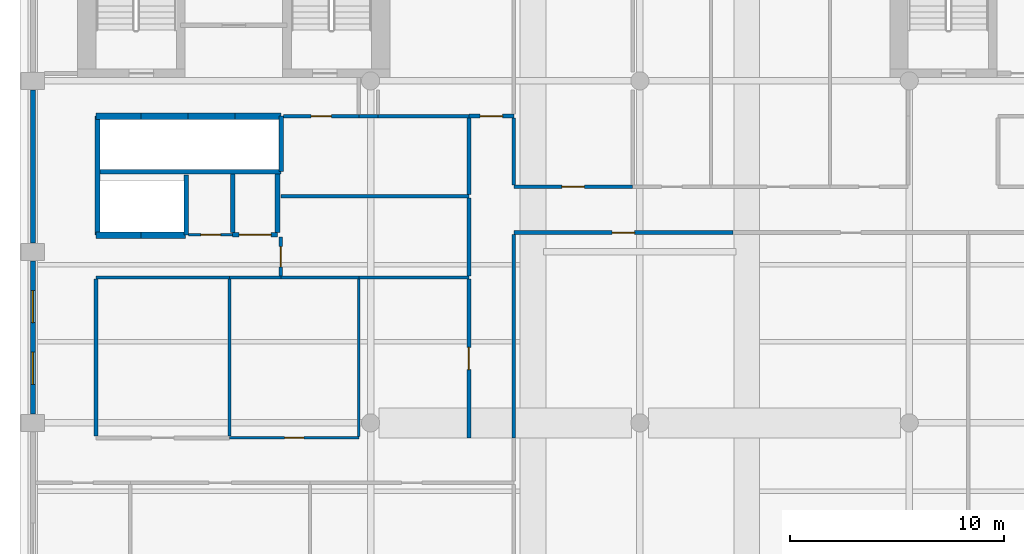
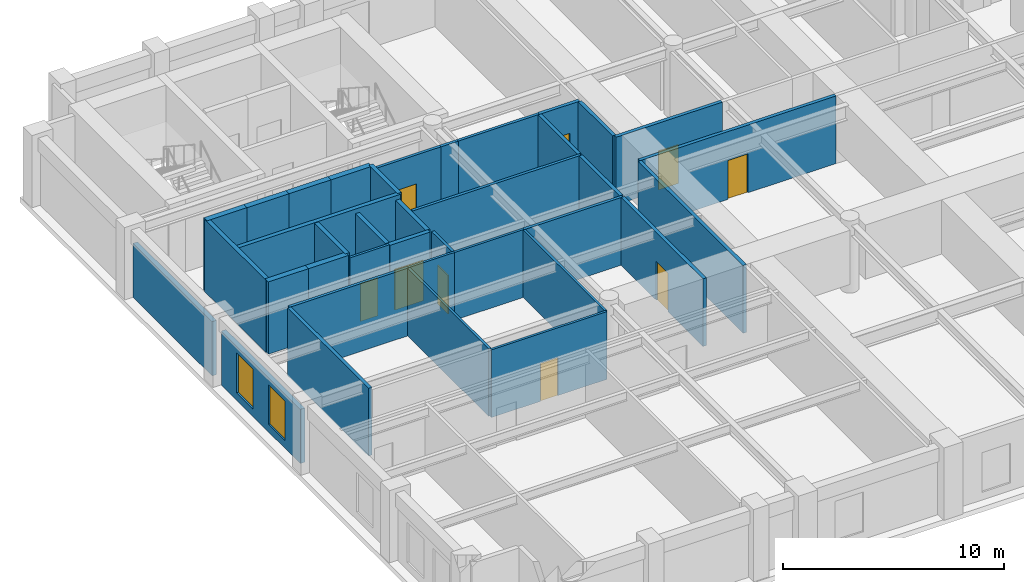
# One storey, part 3 of 8: 37 walls, 9 doors, 2 windows, 11 openings.
"""IFC4 building model written with IfcOpenShell, lengths in metres."""

import ifcopenshell
import ifcopenshell.guid

model = None  # the IFC model being written
_history = None  # IfcOwnerHistory: only IFC2X3 demands one
_inside = {}  # id of a spatial element -> (the spatial element, [elements in it])
_under = {}  # id of a project, library or spatial element -> (it, [spatial elements below it])
_declared = {}  # id of a project -> (the project, [libraries it declares])
_typed = {}  # id of a type object -> (the type object, [elements of that type])
_made_of = {}  # id of a material, layer set ... -> (it, [elements and type objects made of it])


def new_model(schema):
    """Start an empty IFC model of exactly this schema.

    Asked for "IFC4X3", IfcOpenShell would pick the latest addendum, in which some entities
    have other attributes; the version numbers below select the first issue.
    IFC2X3 requires an IfcOwnerHistory on every rooted entity: one is made here for all.
    """
    global model, _history
    if schema == "IFC4X3":
        model = ifcopenshell.file(schema_version=(4, 3, 0, 0))
    else:
        model = ifcopenshell.file(schema=schema)
    _inside.clear()
    _under.clear()
    _declared.clear()
    _typed.clear()
    _made_of.clear()
    _history = None
    if model.schema == "IFC2X3":
        org = make("IfcOrganization", Name="unknown")
        user = make(
            "IfcPersonAndOrganization",
            ThePerson=make("IfcPerson", FamilyName="unknown"),
            TheOrganization=org,
        )
        app = make(
            "IfcApplication",
            ApplicationDeveloper=org,
            Version="unknown",
            ApplicationFullName="unknown",
            ApplicationIdentifier="unknown",
        )
        _history = make(
            "IfcOwnerHistory",
            OwningUser=user,
            OwningApplication=app,
            ChangeAction="ADDED",
            CreationDate=0,
        )
    return model


def make(cls, **values):
    """One entity of the class cls with the attributes given. An attribute that is None is left unset."""
    return model.create_entity(
        cls, **{name: value for name, value in values.items() if value is not None}
    )


def rooted(cls, **values):
    """An entity with a GlobalId (a new one), such as an element, a storey or a relation."""
    return make(cls, GlobalId=ifcopenshell.guid.new(), OwnerHistory=_history, **values)


def si_unit(unit_type, name, prefix=None):
    """IfcSIUnit, for example si_unit("LENGTHUNIT", "METRE", prefix="MILLI")."""
    return make("IfcSIUnit", UnitType=unit_type, Prefix=prefix, Name=name)


def assignment(units):
    """IfcUnitAssignment: the units of a project."""
    return None if units is None else make("IfcUnitAssignment", Units=units)


def point(xyz):
    """IfcCartesianPoint."""
    return None if xyz is None else make("IfcCartesianPoint", Coordinates=xyz)


def direction(xyz):
    """IfcDirection."""
    return None if xyz is None else make("IfcDirection", DirectionRatios=xyz)


def frame(location, z_axis=None, x_axis=None):
    """IfcAxis2Placement3D, a coordinate frame: its origin and axes. An axis left out is left unset."""
    return make(
        "IfcAxis2Placement3D",
        Location=point(location),
        Axis=direction(z_axis),
        RefDirection=direction(x_axis),
    )


def frame_2d(location, x_axis=None):
    """IfcAxis2Placement2D, a coordinate frame in the plane: its origin and x axis."""
    return make(
        "IfcAxis2Placement2D", Location=point(location), RefDirection=direction(x_axis)
    )


def origin():
    """The frame at (0, 0, 0) with its axes left unset."""
    return frame((0.0, 0.0, 0.0))


def place(relative_to, where):
    """IfcLocalPlacement: puts the frame where relative to a parent placement (None: the world)."""
    return make(
        "IfcLocalPlacement", PlacementRelTo=relative_to, RelativePlacement=where
    )


def context(
    kind, dimensions, precision=None, world=None, true_north=None, identifier=None
):
    """IfcGeometricRepresentationContext, for example the 3D "Model" context."""
    return make(
        "IfcGeometricRepresentationContext",
        ContextIdentifier=identifier,
        ContextType=kind,
        CoordinateSpaceDimension=dimensions,
        Precision=precision,
        WorldCoordinateSystem=world,
        TrueNorth=true_north,
    )


def subcontext(parent, identifier, kind, view, scale=None):
    """IfcGeometricRepresentationSubContext, for example "Body" below "Model"."""
    return make(
        "IfcGeometricRepresentationSubContext",
        ContextIdentifier=identifier,
        ContextType=kind,
        ParentContext=parent,
        TargetScale=scale,
        TargetView=view,
    )


def project(units=None, contexts=None):
    """IfcProject with its units and contexts."""
    return rooted(
        "IfcProject",
        Name="project",
        RepresentationContexts=contexts,
        UnitsInContext=assignment(units),
    )


def spatial(cls, under=None, at=None, **own):
    """A site, building, storey or space (cls), placed at a placement, below another one or the project."""
    s = rooted(cls, ObjectPlacement=at, **own)
    if under is not None:
        _under.setdefault(under.id(), (under, []))[1].append(s)
    return s


def profile(cls, at=None, kind="AREA", **sizes):
    """A parametric profile (cls). Its sizes go by their IFC names, for example OverallWidth=200.0."""
    return make(cls, ProfileType=kind, Position=at, **sizes)


def rectangle(**sizes):
    """IfcRectangleProfileDef."""
    return profile("IfcRectangleProfileDef", **sizes)


def extrude(swept, where, along, depth):
    """IfcExtrudedAreaSolid: the profile swept, set in the frame where, extruded along a direction by depth."""
    return make(
        "IfcExtrudedAreaSolid",
        SweptArea=swept,
        Position=where,
        ExtrudedDirection=direction(along),
        Depth=depth,
    )


def shape(context_of_items, identifier, shape_type, items):
    """IfcShapeRepresentation: the items that make up one representation, for example the "Body"."""
    return make(
        "IfcShapeRepresentation",
        ContextOfItems=context_of_items,
        RepresentationIdentifier=identifier,
        RepresentationType=shape_type,
        Items=items,
    )


def material(Name=None, Category=None):
    """IfcMaterial."""
    return make("IfcMaterial", Name=Name, Category=Category)


def layer(
    of_material, thickness, ventilated=None, Name=None, Category=None, Priority=None
):
    """IfcMaterialLayer: one layer of a wall or slab, of a material (None: an air gap)."""
    return make(
        "IfcMaterialLayer",
        Material=of_material,
        LayerThickness=thickness,
        IsVentilated=ventilated,
        Name=Name,
        Category=Category,
        Priority=Priority,
    )


def layer_set(layers, Name=None):
    """IfcMaterialLayerSet."""
    return make("IfcMaterialLayerSet", MaterialLayers=layers, LayerSetName=Name)


def made_of(thing, what):
    """Note that an element or type object is made of a material, layer set ...; save() writes the relation."""
    if what is not None:
        _made_of.setdefault(what.id(), (what, []))[1].append(thing)
    return thing


def type_object(cls, material=None, **own):
    """A type object (cls), such as IfcWallType, which elements share."""
    return made_of(rooted(cls, **own), material)


def element(
    cls,
    number,
    at=None,
    inside=None,
    cuts=None,
    type_object=None,
    material=None,
    context=None,
    identifier="Body",
    shape_type=None,
    held_by="IfcProductDefinitionShape",
    body=None,
    shapes=None,
    **own,
):
    """One element of the class cls, such as IfcWall. Its Tag is "e" and its number.

    at: its placement. inside: the storey or other place that contains it. cuts: it is an
    opening in that element (IfcRelVoidsElement). A single representation is given by context,
    identifier, shape_type and body (its items); several are given by shapes. held_by: the class
    of the entity that holds the representations. save() writes the other relations.
    """
    e = rooted(cls, Tag="e%d" % number, ObjectPlacement=at, **own)
    if body is not None:
        shapes = [shape(context, identifier, shape_type, body)]
    if shapes is not None:
        e.Representation = make(held_by, Representations=shapes)
    if inside is not None:
        _inside.setdefault(inside.id(), (inside, []))[1].append(e)
    if cuts is not None:
        rooted(
            "IfcRelVoidsElement", RelatingBuildingElement=cuts, RelatedOpeningElement=e
        )
    if type_object is not None:
        _typed.setdefault(type_object.id(), (type_object, []))[1].append(e)
    return made_of(e, material)


def fill(opening, filler):
    """IfcRelFillsElement: the door or window that sits in an opening."""
    return rooted(
        "IfcRelFillsElement",
        RelatingOpeningElement=opening,
        RelatedBuildingElement=filler,
    )


def aggregate(whole, parts):
    """IfcRelAggregates: a whole, such as a stair, and the parts it consists of."""
    return rooted("IfcRelAggregates", RelatingObject=whole, RelatedObjects=parts)


def save(model, path):
    """Write the relations noted so far, then the file.

    IfcRelAggregates (storeys below a building ...), IfcRelContainedInSpatialStructure (elements
    in a storey), IfcRelDefinesByType, IfcRelAssociatesMaterial and IfcRelDeclares: one each for
    every whole, place, type object, material and project.
    """
    for whole, parts in _under.values():
        aggregate(whole, parts)
    for where, things in _inside.values():
        rooted(
            "IfcRelContainedInSpatialStructure",
            RelatedElements=things,
            RelatingStructure=where,
        )
    for kind, things in _typed.values():
        rooted("IfcRelDefinesByType", RelatedObjects=things, RelatingType=kind)
    for what, things in _made_of.values():
        rooted("IfcRelAssociatesMaterial", RelatedObjects=things, RelatingMaterial=what)
    for by, libraries in _declared.values():
        rooted("IfcRelDeclares", RelatingContext=by, RelatedDefinitions=libraries)
    model.write(path)


model = new_model("IFC4")

# Units and contexts
model_context = context("Model", 3, precision=1e-05, world=origin(), true_north=direction((0.0, 1.0)))
body_context = subcontext(model_context, "Body", "Model", "MODEL_VIEW")
ifc_project = project(units=[si_unit("LENGTHUNIT", "METRE"), si_unit("AREAUNIT", "SQUARE_METRE"), si_unit("VOLUMEUNIT", "CUBIC_METRE"), si_unit("PLANEANGLEUNIT", "RADIAN"), si_unit("MASSUNIT", "GRAM", prefix="KILO")], contexts=[model_context])

# Site, building, storey
site_placement = place(None, origin())
site = spatial("IfcSite", under=ifc_project, at=site_placement, CompositionType="ELEMENT")
building_placement = place(site_placement, origin())
building = spatial("IfcBuilding", under=site, at=building_placement, Name="Sulina Concourse Tower", CompositionType="ELEMENT")
storey_placement = place(building_placement, frame((0.0, 0.0, 178.60009765625)))
storey = spatial("IfcBuildingStorey", under=building, at=storey_placement, Name="L43", CompositionType="ELEMENT", Elevation=178.60009765625)

# Walls
ifc_material_1 = material(Name="Concrete C50/60", Category="concrete")
ifc_layer_1 = layer(ifc_material_1, 0.219970703125)
ifc_layer_set_1 = layer_set([ifc_layer_1], Name="Concrete C50/60")
wall_type_1 = type_object("IfcWallType", Name="Core Lift Hoistway Divider Wall 220mm", PredefinedType="SOLIDWALL", material=ifc_layer_set_1)
wall_1_placement = place(storey_placement, frame((3.550048828125, 29.75, 0.0), z_axis=(0.0, 0.0, 1.0), x_axis=(1.0, 0.0, 0.0)))
element("IfcWall", 1, at=wall_1_placement, inside=storey, type_object=wall_type_1, Name="L43 shaft divider wall HW-LP3-S", PredefinedType="SOLIDWALL", context=body_context, shape_type="SweptSolid", body=[
    extrude(rectangle(XDim=8.64990234375, YDim=0.219970703125, at=frame_2d((4.324951171875, 0.0))), origin(), (0.0, 0.0, 1.0), 4.0),
])
wall_2_placement = place(storey_placement, frame((3.6298828125, 26.800048828125, 0.0), z_axis=(0.0, 0.0, 1.0), x_axis=(0.0, 1.0, 0.0)))
element("IfcWall", 2, at=wall_2_placement, inside=storey, type_object=wall_type_1, Name="L43 shaft divider wall HW-LP3-W", PredefinedType="SOLIDWALL", context=body_context, shape_type="SweptSolid", body=[
    extrude(rectangle(XDim=5.550048828125, YDim=0.219970703125, at=frame_2d((2.77490234375, 0.0))), origin(), (0.0, 0.0, 1.0), 4.0),
])
wall_3_placement = place(storey_placement, frame((7.780029296875, 26.800048828125, 0.0), z_axis=(0.0, 0.0, 1.0), x_axis=(0.0, 1.0, 0.0)))
element("IfcWall", 3, at=wall_3_placement, inside=storey, type_object=wall_type_1, Name="L43 shaft divider wall HW-EXP-E", PredefinedType="SOLIDWALL", context=body_context, shape_type="SweptSolid", body=[
    extrude(rectangle(XDim=2.800048828125, YDim=0.219970703125, at=frame_2d((1.39990234375, 0.0))), origin(), (0.0, 0.0, 1.0), 4.0),
])
wall_4_placement = place(storey_placement, frame((12.219970703125, 29.75, 0.0), z_axis=(0.0, 0.0, 1.0), x_axis=(0.0, 1.0, 0.0)))
element("IfcWall", 4, at=wall_4_placement, inside=storey, type_object=wall_type_1, Name="L43 shaft divider wall HW-LP3-E", PredefinedType="SOLIDWALL", context=body_context, shape_type="SweptSolid", body=[
    extrude(rectangle(XDim=2.60009765625, YDim=0.219970703125, at=frame_2d((1.300048828125, 0.0))), origin(), (0.0, 0.0, 1.0), 4.0),
])
ifc_material_2 = material(Name="Concrete C50/60", Category="concrete")
ifc_layer_2 = layer(ifc_material_2, 0.300048828125)
ifc_layer_set_2 = layer_set([ifc_layer_2], Name="Concrete C50/60")
wall_type_2 = type_object("IfcWallType", Name="Core Lift Hoistway Wall 300mm", PredefinedType="SOLIDWALL", material=ifc_layer_set_2)
wall_5_placement = place(storey_placement, frame((3.550048828125, 32.35009765625, 0.0), z_axis=(0.0, 0.0, 1.0), x_axis=(1.0, 0.0, 0.0)))
element("IfcWall", 5, at=wall_5_placement, inside=storey, type_object=wall_type_2, Name="L43 hoistway enclosure wall LP-09", PredefinedType="SOLIDWALL", context=body_context, shape_type="SweptSolid", body=[
    extrude(rectangle(XDim=2.099853515625, YDim=0.300048828125, at=frame_2d((1.0498046875, 0.0))), origin(), (0.0, 0.0, 1.0), 4.0),
])
wall_6_placement = place(storey_placement, frame((5.64990234375, 32.35009765625, 0.0), z_axis=(0.0, 0.0, 1.0), x_axis=(1.0, 0.0, 0.0)))
element("IfcWall", 6, at=wall_6_placement, inside=storey, type_object=wall_type_2, Name="L43 hoistway enclosure wall LP-10", PredefinedType="SOLIDWALL", context=body_context, shape_type="SweptSolid", body=[
    extrude(rectangle(XDim=2.2001953125, YDim=0.300048828125, at=frame_2d((1.10009765625, 0.0))), origin(), (0.0, 0.0, 1.0), 4.0),
])
wall_7_placement = place(storey_placement, frame((7.85009765625, 32.35009765625, 0.0), z_axis=(0.0, 0.0, 1.0), x_axis=(1.0, 0.0, 0.0)))
element("IfcWall", 7, at=wall_7_placement, inside=storey, type_object=wall_type_2, Name="L43 hoistway enclosure wall LP-11", PredefinedType="SOLIDWALL", context=body_context, shape_type="SweptSolid", body=[
    extrude(rectangle(XDim=2.199951171875, YDim=0.300048828125, at=frame_2d((1.10009765625, 0.0))), origin(), (0.0, 0.0, 1.0), 4.0),
])
wall_8_placement = place(storey_placement, frame((10.050048828125, 32.35009765625, 0.0), z_axis=(0.0, 0.0, 1.0), x_axis=(1.0, 0.0, 0.0)))
element("IfcWall", 8, at=wall_8_placement, inside=storey, type_object=wall_type_2, Name="L43 hoistway enclosure wall LP-12", PredefinedType="SOLIDWALL", context=body_context, shape_type="SweptSolid", body=[
    extrude(rectangle(XDim=2.14990234375, YDim=0.300048828125, at=frame_2d((1.074951171875, 0.0))), origin(), (0.0, 0.0, 1.0), 4.0),
])
wall_9_placement = place(storey_placement, frame((5.64990234375, 26.780029296875, 0.0), z_axis=(0.0, 0.0, 1.0), x_axis=(-1.0, 0.0, 0.0)))
element("IfcWall", 9, at=wall_9_placement, inside=storey, type_object=wall_type_2, Name="L43 hoistway enclosure wall EXP-1", PredefinedType="SOLIDWALL", context=body_context, shape_type="SweptSolid", body=[
    extrude(rectangle(XDim=2.099853515625, YDim=0.300048828125, at=frame_2d((1.0498046875, 0.0))), origin(), (0.0, 0.0, 1.0), 4.0),
])
wall_10_placement = place(storey_placement, frame((7.75, 26.780029296875, 0.0), z_axis=(0.0, 0.0, 1.0), x_axis=(-1.0, 0.0, 0.0)))
element("IfcWall", 10, at=wall_10_placement, inside=storey, type_object=wall_type_2, Name="L43 hoistway enclosure wall EXP-2", PredefinedType="SOLIDWALL", context=body_context, shape_type="SweptSolid", body=[
    extrude(rectangle(XDim=2.10009765625, YDim=0.300048828125, at=frame_2d((1.050048828125, 0.0))), origin(), (0.0, 0.0, 1.0), 4.0),
])

# Wall, openings, windows
ifc_material_3 = material(Name="Precast concrete C50/60", Category="concrete")
ifc_layer_3 = layer(ifc_material_3, 0.239990234375)
ifc_layer_set_3 = layer_set([ifc_layer_3], Name="Precast concrete C50/60")
wall_type_3 = type_object("IfcWallType", Name="Crown Precast Masonry-Frame Facade Wall 240mm", PredefinedType="SOLIDWALL", material=ifc_layer_set_3)
wall_11_placement = place(storey_placement, frame((0.60009765625, 18.419921875, 0.0), z_axis=(0.0, 0.0, 1.0), x_axis=(0.0, 1.0, 0.0)))
wall_11 = element("IfcWall", 11, at=wall_11_placement, inside=storey, type_object=wall_type_3, Name="L43 exterior precast wall W3", PredefinedType="SOLIDWALL", context=body_context, shape_type="SweptSolid", body=[
    extrude(rectangle(XDim=7.16015625, YDim=0.239990234375, at=frame_2d((3.580078125, 0.0))), origin(), (0.0, 0.0, 1.0), 3.0),
])
opening_1_placement = place(wall_11_placement, frame((1.38671875, 0.0, 0.419921875)))
opening_1 = element("IfcOpeningElement", 12, at=opening_1_placement, cuts=wall_11, Name="Opening WN-71", PredefinedType="OPENING", context=body_context, shape_type="SweptSolid", body=[
    extrude(rectangle(XDim=1.5, YDim=2.199951171875, at=frame_2d((0.75, 1.10009765625))), frame((0.0, 0.1298828125, 0.0), z_axis=(0.0, -1.0, 0.0), x_axis=(1.0, 0.0, 0.0)), (0.0, 0.0, 1.0), 0.260009765625),
])
opening_2_placement = place(wall_11_placement, frame((4.273193359375, 0.0, 0.419921875)))
opening_2 = element("IfcOpeningElement", 13, at=opening_2_placement, cuts=wall_11, Name="Opening WN-71", PredefinedType="OPENING", context=body_context, shape_type="SweptSolid", body=[
    extrude(rectangle(XDim=1.5, YDim=2.199951171875, at=frame_2d((0.75, 1.10009765625))), frame((0.0, 0.1298828125, 0.0), z_axis=(0.0, -1.0, 0.0), x_axis=(1.0, 0.0, 0.0)), (0.0, 0.0, 1.0), 0.260009765625),
])
ifc_material_4 = material(Name="Low-E solar double glazing in bronze aluminium", Category="aluminium")
window_type = type_object("IfcWindowType", Name="Punched Masonry-Frame Window 1500x2200", PartitioningType="SINGLE_PANEL", PredefinedType="WINDOW", material=ifc_material_4)
window_1_placement = place(opening_1_placement, origin())
window_1 = element("IfcWindow", 14, at=window_1_placement, inside=storey, type_object=window_type, Name="L43 punched window W3-1", OverallHeight=2.199951171875, OverallWidth=1.5, PartitioningType="SINGLE_PANEL", PredefinedType="WINDOW", context=body_context, shape_type="SweptSolid", body=[
    extrude(rectangle(XDim=1.5, YDim=2.199951171875, at=frame_2d((0.75, 1.10009765625))), frame((0.0, 0.030029296875, 0.0), z_axis=(0.0, -1.0, 0.0), x_axis=(1.0, 0.0, 0.0)), (0.0, 0.0, 1.0), 0.06005859375),
])
fill(opening_1, window_1)
window_2_placement = place(opening_2_placement, origin())
window_2 = element("IfcWindow", 15, at=window_2_placement, inside=storey, type_object=window_type, Name="L43 punched window W3-2", OverallHeight=2.199951171875, OverallWidth=1.5, PartitioningType="SINGLE_PANEL", PredefinedType="WINDOW", context=body_context, shape_type="SweptSolid", body=[
    extrude(rectangle(XDim=1.5, YDim=2.199951171875, at=frame_2d((0.75, 1.10009765625))), frame((0.0, 0.030029296875, 0.0), z_axis=(0.0, -1.0, 0.0), x_axis=(1.0, 0.0, 0.0)), (0.0, 0.0, 1.0), 0.06005859375),
])
fill(opening_2, window_2)

# Wall
wall_12_placement = place(storey_placement, frame((0.60009765625, 26.419921875, 0.0), z_axis=(0.0, 0.0, 1.0), x_axis=(0.0, 1.0, 0.0)))
element("IfcWall", 16, at=wall_12_placement, inside=storey, type_object=wall_type_3, Name="L43 exterior precast wall W4", PredefinedType="SOLIDWALL", context=body_context, shape_type="SweptSolid", body=[
    extrude(rectangle(XDim=7.16015625, YDim=0.239990234375, at=frame_2d((3.580078125, 0.0))), origin(), (0.0, 0.0, 1.0), 3.0),
])

# Wall, opening, door
ifc_material_5 = material(Name="Gypsum board on steel stud", Category="steel")
ifc_layer_4 = layer(ifc_material_5, 0.219970703125)
ifc_layer_set_4 = layer_set([ifc_layer_4], Name="Gypsum board on steel stud")
wall_type_4 = type_object("IfcWallType", Name="Fire-Rated Lobby & Compartment Wall 220mm", PredefinedType="PARTITIONING", material=ifc_layer_set_4)
wall_13_placement = place(storey_placement, frame((9.949951171875, 26.800048828125, 0.0), z_axis=(0.0, 0.0, 1.0), x_axis=(1.0, 0.0, 0.0)))
wall_13 = element("IfcWall", 17, at=wall_13_placement, inside=storey, type_object=wall_type_4, Name="L43 interior partition 011", PredefinedType="PARTITIONING", context=body_context, shape_type="SweptSolid", body=[
    extrude(rectangle(XDim=2.10009765625, YDim=0.219970703125, at=frame_2d((1.050048828125, 0.0))), origin(), (0.0, 0.0, 1.0), 3.75),
])
opening_3_placement = place(wall_13_placement, frame((0.300048828125, 0.0, 0.0)))
opening_3 = element("IfcOpeningElement", 18, at=opening_3_placement, cuts=wall_13, Name="Opening DR-80", PredefinedType="OPENING", context=body_context, shape_type="SweptSolid", body=[
    extrude(rectangle(XDim=1.5, YDim=2.25, at=frame_2d((0.75, 1.125))), frame((0.0, 0.119873046875, 0.0), z_axis=(0.0, -1.0, 0.0), x_axis=(1.0, 0.0, 0.0)), (0.0, 0.0, 1.0), 0.239990234375),
])
ifc_material_6 = material(Name="Galvanised steel acoustic fire leaf", Category="steel")
ifc_layer_5 = layer(ifc_material_6, 0.054931640625)
ifc_layer_set_5 = layer_set([ifc_layer_5], Name="Galvanised steel acoustic fire leaf")
door_type_1 = type_object("IfcDoorType", Name="Mechanical Plant Double Fire Door 1500x2250", OperationType="DOUBLE_DOOR_SINGLE_SWING", PredefinedType="DOOR", material=ifc_layer_set_5)
door_1_placement = place(opening_3_placement, origin())
door_1 = element("IfcDoor", 19, at=door_1_placement, inside=storey, type_object=door_type_1, Name="L43 interior door L43-IT-IDF", OperationType="DOUBLE_DOOR_SINGLE_SWING", OverallHeight=2.25, OverallWidth=1.5, PredefinedType="DOOR", context=body_context, shape_type="SweptSolid", body=[
    extrude(rectangle(XDim=1.5, YDim=2.25, at=frame_2d((0.75, 1.125))), frame((0.0, 0.02490234375, 0.0), z_axis=(0.0, -1.0, 0.0), x_axis=(1.0, 0.0, 0.0)), (0.0, 0.0, 1.0), 0.050048828125),
])
fill(opening_3, door_1)

# Walls
for number, where, z_axis, x_axis, name in (
    (20, (9.949951171875, 26.909912109375, 0.0), (0.0, 0.0, 1.0), (0.0, 1.0, 0.0), "L43 interior partition 033"),
    (21, (12.050048828125, 26.909912109375, 0.0), (0.0, 0.0, 1.0), (0.0, 1.0, 0.0), "L43 interior partition 034"),
):
    element("IfcWall", number, at=place(storey_placement, frame(where, z_axis=z_axis, x_axis=x_axis)), inside=storey, type_object=wall_type_4, Name=name, PredefinedType="PARTITIONING", context=body_context, shape_type="SweptSolid", body=[
        extrude(rectangle(XDim=2.72998046875, YDim=0.219970703125, at=frame_2d((1.364990234375, 0.0))), origin(), (0.0, 0.0, 1.0), 3.75),
    ])
ifc_material_7 = material(Name="Gypsum board on steel stud", Category="steel")
ifc_layer_6 = layer(ifc_material_7, 0.14990234375)
ifc_layer_set_6 = layer_set([ifc_layer_6], Name="Gypsum board on steel stud")
wall_type_5 = type_object("IfcWallType", Name="Inter-Tenancy Acoustic Partition 150mm", PredefinedType="PARTITIONING", material=ifc_layer_set_6)
wall_14_placement = place(storey_placement, frame((3.550048828125, 24.800048828125, 0.0), z_axis=(0.0, 0.0, 1.0), x_axis=(1.0, 0.0, 0.0)))
element("IfcWall", 22, at=wall_14_placement, inside=storey, type_object=wall_type_5, Name="L43 interior partition 006", PredefinedType="PARTITIONING", context=body_context, shape_type="SweptSolid", body=[
    extrude(rectangle(XDim=6.25, YDim=0.14990234375, at=frame_2d((3.125, 0.0))), origin(), (0.0, 0.0, 1.0), 3.75),
])
wall_15_placement = place(storey_placement, frame((15.85009765625, 24.800048828125, 0.0), z_axis=(0.0, 0.0, 1.0), x_axis=(1.0, 0.0, 0.0)))
element("IfcWall", 23, at=wall_15_placement, inside=storey, type_object=wall_type_5, Name="L43 interior partition 009", PredefinedType="PARTITIONING", context=body_context, shape_type="SweptSolid", body=[
    extrude(rectangle(XDim=5.14990234375, YDim=0.14990234375, at=frame_2d((2.574951171875, 0.0))), origin(), (0.0, 0.0, 1.0), 3.75),
])
wall_16_placement = place(storey_placement, frame((12.199951171875, 28.60009765625, 0.0), z_axis=(0.0, 0.0, 1.0), x_axis=(1.0, 0.0, 0.0)))
element("IfcWall", 24, at=wall_16_placement, inside=storey, type_object=wall_type_5, Name="L43 interior partition 015", PredefinedType="PARTITIONING", context=body_context, shape_type="SweptSolid", body=[
    extrude(rectangle(XDim=8.800048828125, YDim=0.14990234375, at=frame_2d((4.39990234375, 0.0))), origin(), (0.0, 0.0, 1.0), 3.75),
])

# Wall, opening, door
wall_17_placement = place(storey_placement, frame((12.330078125, 32.35009765625, 0.0), z_axis=(0.0, 0.0, 1.0), x_axis=(1.0, 0.0, 0.0)))
wall_17 = element("IfcWall", 25, at=wall_17_placement, inside=storey, type_object=wall_type_5, Name="L43 interior partition 021", PredefinedType="PARTITIONING", context=body_context, shape_type="SweptSolid", body=[
    extrude(rectangle(XDim=3.52001953125, YDim=0.14990234375, at=frame_2d((1.760009765625, 0.0))), origin(), (0.0, 0.0, 1.0), 3.75),
])
opening_4_placement = place(wall_17_placement, frame((1.284912109375, 0.0, 0.0)))
opening_4 = element("IfcOpeningElement", 26, at=opening_4_placement, cuts=wall_17, Name="Opening DR-19", PredefinedType="OPENING", context=body_context, shape_type="SweptSolid", body=[
    extrude(rectangle(XDim=0.949951171875, YDim=2.14990234375, at=frame_2d((0.47509765625, 1.074951171875))), frame((0.0, 0.0849609375, 0.0), z_axis=(0.0, -1.0, 0.0), x_axis=(1.0, 0.0, 0.0)), (0.0, 0.0, 1.0), 0.169921875),
])
ifc_material_8 = material(Name="Oak-veneered acoustic timber leaf", Category="wood")
ifc_layer_7 = layer(ifc_material_8, 0.050048828125)
ifc_layer_set_7 = layer_set([ifc_layer_7], Name="Oak-veneered acoustic timber leaf")
door_type_2 = type_object("IfcDoorType", Name="Cellular Office & Meeting Door 950x2150", OperationType="NOTDEFINED", PredefinedType="DOOR", material=ifc_layer_set_7)
door_2_placement = place(opening_4_placement, origin())
door_2 = element("IfcDoor", 27, at=door_2_placement, inside=storey, type_object=door_type_2, Name="L43 interior door L43-MR-MRG2", OperationType="SINGLE_SWING_RIGHT", OverallHeight=2.14990234375, OverallWidth=0.949951171875, PredefinedType="DOOR", context=body_context, shape_type="SweptSolid", body=[
    extrude(rectangle(XDim=0.949951171875, YDim=2.14990234375, at=frame_2d((0.47509765625, 1.074951171875))), frame((0.0, 0.02490234375, 0.0), z_axis=(0.0, -1.0, 0.0), x_axis=(1.0, 0.0, 0.0)), (0.0, 0.0, 1.0), 0.050048828125),
])
fill(opening_4, door_2)

# Walls
wall_18_placement = place(storey_placement, frame((15.85009765625, 32.35009765625, 0.0), z_axis=(0.0, 0.0, 1.0), x_axis=(1.0, 0.0, 0.0)))
element("IfcWall", 28, at=wall_18_placement, inside=storey, type_object=wall_type_5, Name="L43 interior partition 022", PredefinedType="PARTITIONING", context=body_context, shape_type="SweptSolid", body=[
    extrude(rectangle(XDim=0.89990234375, YDim=0.14990234375, at=frame_2d((0.449951171875, 0.0))), origin(), (0.0, 0.0, 1.0), 3.75),
])
wall_19_placement = place(storey_placement, frame((16.75, 32.35009765625, 0.0), z_axis=(0.0, 0.0, 1.0), x_axis=(1.0, 0.0, 0.0)))
element("IfcWall", 29, at=wall_19_placement, inside=storey, type_object=wall_type_5, Name="L43 interior partition 023", PredefinedType="PARTITIONING", context=body_context, shape_type="SweptSolid", body=[
    extrude(rectangle(XDim=4.25, YDim=0.14990234375, at=frame_2d((2.125, 0.0))), origin(), (0.0, 0.0, 1.0), 3.75),
])

# Wall, opening, door
wall_20_placement = place(storey_placement, frame((12.199951171875, 24.862548828125, 0.0), z_axis=(0.0, 0.0, 1.0), x_axis=(0.0, 1.0, 0.0)))
wall_20 = element("IfcWall", 30, at=wall_20_placement, inside=storey, type_object=wall_type_5, Name="L43 interior partition 035", PredefinedType="PARTITIONING", context=body_context, shape_type="SweptSolid", body=[
    extrude(rectangle(XDim=1.827392578125, YDim=0.14990234375, at=frame_2d((0.91357421875, 0.0))), origin(), (0.0, 0.0, 1.0), 3.75),
])
opening_5_placement = place(wall_20_placement, frame((0.438720703125, 0.0, 0.0)))
opening_5 = element("IfcOpeningElement", 31, at=opening_5_placement, cuts=wall_20, Name="Opening DR-19", PredefinedType="OPENING", context=body_context, shape_type="SweptSolid", body=[
    extrude(rectangle(XDim=0.949951171875, YDim=2.14990234375, at=frame_2d((0.47509765625, 1.074951171875))), frame((0.0, 0.0849609375, 0.0), z_axis=(0.0, -1.0, 0.0), x_axis=(1.0, 0.0, 0.0)), (0.0, 0.0, 1.0), 0.169921875),
])
door_3_placement = place(opening_5_placement, origin())
door_3 = element("IfcDoor", 32, at=door_3_placement, inside=storey, type_object=door_type_2, Name="L43 interior door L43-MR-MRG1", OperationType="SINGLE_SWING_RIGHT", OverallHeight=2.14990234375, OverallWidth=0.949951171875, PredefinedType="DOOR", context=body_context, shape_type="SweptSolid", body=[
    extrude(rectangle(XDim=0.949951171875, YDim=2.14990234375, at=frame_2d((0.47509765625, 1.074951171875))), frame((0.0, 0.02490234375, 0.0), z_axis=(0.0, -1.0, 0.0), x_axis=(1.0, 0.0, 0.0)), (0.0, 0.0, 1.0), 0.050048828125),
])
fill(opening_5, door_3)

ifc_material_9 = material(Name="Gypsum board on steel stud", Category="steel")
ifc_layer_8 = layer(ifc_material_9, 0.179931640625)
ifc_layer_set_8 = layer_set([ifc_layer_8], Name="Gypsum board on steel stud")
wall_type_6 = type_object("IfcWallType", Name="Protected Corridor & Riser Partition 180mm", PredefinedType="PARTITIONING", material=ifc_layer_set_8)
wall_21_placement = place(storey_placement, frame((23.10009765625, 26.89990234375, 0.0), z_axis=(0.0, 0.0, 1.0), x_axis=(1.0, 0.0, 0.0)))
wall_21 = element("IfcWall", 33, at=wall_21_placement, inside=storey, type_object=wall_type_6, Name="L43 interior partition 012", PredefinedType="PARTITIONING", context=body_context, shape_type="SweptSolid", body=[
    extrude(rectangle(XDim=10.260009765625, YDim=0.179931640625, at=frame_2d((5.1298828125, 0.0))), origin(), (0.0, 0.0, 1.0), 3.75),
])
opening_6_placement = place(wall_21_placement, frame((4.60498046875, 0.0, 0.0)))
opening_6 = element("IfcOpeningElement", 34, at=opening_6_placement, cuts=wall_21, Name="Opening DR-37", PredefinedType="OPENING", context=body_context, shape_type="SweptSolid", body=[
    extrude(rectangle(XDim=1.050048828125, YDim=2.14990234375, at=frame_2d((0.52490234375, 1.074951171875))), frame((0.0, 0.099853515625, 0.0), z_axis=(0.0, -1.0, 0.0), x_axis=(1.0, 0.0, 0.0)), (0.0, 0.0, 1.0), 0.199951171875),
])
ifc_material_10 = material(Name="Oak-veneered fire door leaf")
ifc_layer_9 = layer(ifc_material_10, 0.050048828125)
ifc_layer_set_9 = layer_set([ifc_layer_9], Name="Oak-veneered fire door leaf")
door_type_3 = type_object("IfcDoorType", Name="Tenant Suite Entrance Fire Door 1050x2150", OperationType="NOTDEFINED", PredefinedType="DOOR", material=ifc_layer_set_9)
door_4_placement = place(opening_6_placement, origin())
door_4 = element("IfcDoor", 35, at=door_4_placement, inside=storey, type_object=door_type_3, Name="L43 interior door L43-S04", OperationType="SINGLE_SWING_RIGHT", OverallHeight=2.14990234375, OverallWidth=1.050048828125, PredefinedType="DOOR", context=body_context, shape_type="SweptSolid", body=[
    extrude(rectangle(XDim=1.050048828125, YDim=2.14990234375, at=frame_2d((0.52490234375, 1.074951171875))), frame((0.0, 0.02490234375, 0.0), z_axis=(0.0, -1.0, 0.0), x_axis=(1.0, 0.0, 0.0)), (0.0, 0.0, 1.0), 0.050048828125),
])
fill(opening_6, door_4)

wall_22_placement = place(storey_placement, frame((23.10009765625, 29.050048828125, 0.0), z_axis=(0.0, 0.0, 1.0), x_axis=(1.0, 0.0, 0.0)))
wall_22 = element("IfcWall", 36, at=wall_22_placement, inside=storey, type_object=wall_type_6, Name="L43 interior partition 016", PredefinedType="PARTITIONING", context=body_context, shape_type="SweptSolid", body=[
    extrude(rectangle(XDim=5.559814453125, YDim=0.179931640625, at=frame_2d((2.77978515625, 0.0))), origin(), (0.0, 0.0, 1.0), 3.75),
])
opening_7_placement = place(wall_22_placement, frame((2.2548828125, 0.0, 0.0)))
opening_7 = element("IfcOpeningElement", 37, at=opening_7_placement, cuts=wall_22, Name="Opening DR-37", PredefinedType="OPENING", context=body_context, shape_type="SweptSolid", body=[
    extrude(rectangle(XDim=1.050048828125, YDim=2.14990234375, at=frame_2d((0.52490234375, 1.074951171875))), frame((0.0, 0.099853515625, 0.0), z_axis=(0.0, -1.0, 0.0), x_axis=(1.0, 0.0, 0.0)), (0.0, 0.0, 1.0), 0.199951171875),
])
door_5_placement = place(opening_7_placement, origin())
door_5 = element("IfcDoor", 38, at=door_5_placement, inside=storey, type_object=door_type_3, Name="L43 interior door L43-NC1", OperationType="SINGLE_SWING_LEFT", OverallHeight=2.14990234375, OverallWidth=1.050048828125, PredefinedType="DOOR", context=body_context, shape_type="SweptSolid", body=[
    extrude(rectangle(XDim=1.050048828125, YDim=2.14990234375, at=frame_2d((0.52490234375, 1.074951171875))), frame((0.0, 0.02490234375, 0.0), z_axis=(0.0, -1.0, 0.0), x_axis=(1.0, 0.0, 0.0)), (0.0, 0.0, 1.0), 0.050048828125),
])
fill(opening_7, door_5)

wall_23_placement = place(storey_placement, frame((21.0, 32.35009765625, 0.0), z_axis=(0.0, 0.0, 1.0), x_axis=(1.0, 0.0, 0.0)))
wall_23 = element("IfcWall", 39, at=wall_23_placement, inside=storey, type_object=wall_type_6, Name="L43 interior partition 024", PredefinedType="PARTITIONING", context=body_context, shape_type="SweptSolid", body=[
    extrude(rectangle(XDim=2.10009765625, YDim=0.179931640625, at=frame_2d((1.050048828125, 0.0))), origin(), (0.0, 0.0, 1.0), 3.75),
])
opening_8_placement = place(wall_23_placement, frame((0.52490234375, 0.0, 0.0)))
opening_8 = element("IfcOpeningElement", 40, at=opening_8_placement, cuts=wall_23, Name="Opening DR-37", PredefinedType="OPENING", context=body_context, shape_type="SweptSolid", body=[
    extrude(rectangle(XDim=1.050048828125, YDim=2.14990234375, at=frame_2d((0.52490234375, 1.074951171875))), frame((0.0, 0.099853515625, 0.0), z_axis=(0.0, -1.0, 0.0), x_axis=(1.0, 0.0, 0.0)), (0.0, 0.0, 1.0), 0.199951171875),
])
door_6_placement = place(opening_8_placement, origin())
door_6 = element("IfcDoor", 41, at=door_6_placement, inside=storey, type_object=door_type_3, Name="L43 interior door L43-NC-NW", OperationType="SINGLE_SWING_LEFT", OverallHeight=2.14990234375, OverallWidth=1.050048828125, PredefinedType="DOOR", context=body_context, shape_type="SweptSolid", body=[
    extrude(rectangle(XDim=1.050048828125, YDim=2.14990234375, at=frame_2d((0.52490234375, 1.074951171875))), frame((0.0, 0.02490234375, 0.0), z_axis=(0.0, -1.0, 0.0), x_axis=(1.0, 0.0, 0.0)), (0.0, 0.0, 1.0), 0.050048828125),
])
fill(opening_8, door_6)

# Wall
wall_24_placement = place(storey_placement, frame((3.550048828125, 17.389892578125, 0.0), z_axis=(0.0, 0.0, 1.0), x_axis=(0.0, 1.0, 0.0)))
element("IfcWall", 42, at=wall_24_placement, inside=storey, type_object=wall_type_6, Name="L43 interior partition 030", PredefinedType="PARTITIONING", context=body_context, shape_type="SweptSolid", body=[
    extrude(rectangle(XDim=7.335205078125, YDim=0.179931640625, at=frame_2d((3.66748046875, 0.0))), origin(), (0.0, 0.0, 1.0), 3.75),
])

# Wall, opening, door
wall_25_placement = place(storey_placement, frame((21.0, 17.300048828125, 0.0), z_axis=(0.0, 0.0, 1.0), x_axis=(0.0, 1.0, 0.0)))
wall_25 = element("IfcWall", 43, at=wall_25_placement, inside=storey, type_object=wall_type_6, Name="L43 interior partition 040", PredefinedType="PARTITIONING", context=body_context, shape_type="SweptSolid", body=[
    extrude(rectangle(XDim=7.425048828125, YDim=0.179931640625, at=frame_2d((3.71240234375, 0.0))), origin(), (0.0, 0.0, 1.0), 3.75),
])
opening_9_placement = place(wall_25_placement, frame((3.1875, 0.0, 0.0)))
opening_9 = element("IfcOpeningElement", 44, at=opening_9_placement, cuts=wall_25, Name="Opening DR-37", PredefinedType="OPENING", context=body_context, shape_type="SweptSolid", body=[
    extrude(rectangle(XDim=1.050048828125, YDim=2.14990234375, at=frame_2d((0.52490234375, 1.074951171875))), frame((0.0, 0.099853515625, 0.0), z_axis=(0.0, -1.0, 0.0), x_axis=(1.0, 0.0, 0.0)), (0.0, 0.0, 1.0), 0.199951171875),
])
door_7_placement = place(opening_9_placement, origin())
door_7 = element("IfcDoor", 45, at=door_7_placement, inside=storey, type_object=door_type_3, Name="L43 interior door L43-NZ-PKW", OperationType="SINGLE_SWING_LEFT", OverallHeight=2.14990234375, OverallWidth=1.050048828125, PredefinedType="DOOR", context=body_context, shape_type="SweptSolid", body=[
    extrude(rectangle(XDim=1.050048828125, YDim=2.14990234375, at=frame_2d((0.52490234375, 1.074951171875))), frame((0.0, 0.02490234375, 0.0), z_axis=(0.0, -1.0, 0.0), x_axis=(1.0, 0.0, 0.0)), (0.0, 0.0, 1.0), 0.050048828125),
])
fill(opening_9, door_7)

# Walls
wall_26_placement = place(storey_placement, frame((21.0, 24.875, 0.0), z_axis=(0.0, 0.0, 1.0), x_axis=(0.0, 1.0, 0.0)))
element("IfcWall", 46, at=wall_26_placement, inside=storey, type_object=wall_type_6, Name="L43 interior partition 041", PredefinedType="PARTITIONING", context=body_context, shape_type="SweptSolid", body=[
    extrude(rectangle(XDim=3.64990234375, YDim=0.179931640625, at=frame_2d((1.824951171875, 0.0))), origin(), (0.0, 0.0, 1.0), 3.75),
])
wall_27_placement = place(storey_placement, frame((21.0, 28.675048828125, 0.0), z_axis=(0.0, 0.0, 1.0), x_axis=(0.0, 1.0, 0.0)))
element("IfcWall", 47, at=wall_27_placement, inside=storey, type_object=wall_type_6, Name="L43 interior partition 042", PredefinedType="PARTITIONING", context=body_context, shape_type="SweptSolid", body=[
    extrude(rectangle(XDim=3.5849609375, YDim=0.179931640625, at=frame_2d((1.79248046875, 0.0))), origin(), (0.0, 0.0, 1.0), 3.75),
])
wall_28_placement = place(storey_placement, frame((23.10009765625, 17.300048828125, 0.0), z_axis=(0.0, 0.0, 1.0), x_axis=(0.0, 1.0, 0.0)))
element("IfcWall", 48, at=wall_28_placement, inside=storey, type_object=wall_type_6, Name="L43 interior partition 045", PredefinedType="PARTITIONING", context=body_context, shape_type="SweptSolid", body=[
    extrude(rectangle(XDim=9.510009765625, YDim=0.179931640625, at=frame_2d((4.7548828125, 0.0))), origin(), (0.0, 0.0, 1.0), 3.75),
])
wall_29_placement = place(storey_placement, frame((23.10009765625, 29.139892578125, 0.0), z_axis=(0.0, 0.0, 1.0), x_axis=(0.0, 1.0, 0.0)))
element("IfcWall", 49, at=wall_29_placement, inside=storey, type_object=wall_type_6, Name="L43 interior partition 046", PredefinedType="PARTITIONING", context=body_context, shape_type="SweptSolid", body=[
    extrude(rectangle(XDim=3.1201171875, YDim=0.179931640625, at=frame_2d((1.56005859375, 0.0))), origin(), (0.0, 0.0, 1.0), 3.75),
])

# Wall, opening, door
ifc_material_11 = material(Name="Gypsum board on steel stud", Category="steel")
ifc_layer_10 = layer(ifc_material_11, 0.125)
ifc_layer_set_10 = layer_set([ifc_layer_10], Name="Gypsum board on steel stud")
wall_type_7 = type_object("IfcWallType", Name="Wet-Area Moisture-Resistant Partition 125mm", PredefinedType="PARTITIONING", material=ifc_layer_set_10)
wall_30_placement = place(storey_placement, frame((9.800048828125, 17.300048828125, 0.0), z_axis=(0.0, 0.0, 1.0), x_axis=(1.0, 0.0, 0.0)))
wall_30 = element("IfcWall", 50, at=wall_30_placement, inside=storey, type_object=wall_type_7, Name="L43 interior partition 005", PredefinedType="PARTITIONING", context=body_context, shape_type="SweptSolid", body=[
    extrude(rectangle(XDim=6.050048828125, YDim=0.125, at=frame_2d((3.02490234375, 0.0))), origin(), (0.0, 0.0, 1.0), 3.75),
])
opening_10_placement = place(wall_30_placement, frame((2.574951171875, 0.0, 0.0)))
opening_10 = element("IfcOpeningElement", 51, at=opening_10_placement, cuts=wall_30, Name="Opening DR-21", PredefinedType="OPENING", context=body_context, shape_type="SweptSolid", body=[
    extrude(rectangle(XDim=0.89990234375, YDim=2.10009765625, at=frame_2d((0.449951171875, 1.050048828125))), frame((0.0, 0.072509765625, 0.0), z_axis=(0.0, -1.0, 0.0), x_axis=(1.0, 0.0, 0.0)), (0.0, 0.0, 1.0), 0.14501953125),
])
ifc_material_12 = material(Name="Oak-veneered fire door leaf")
ifc_layer_11 = layer(ifc_material_12, 0.050048828125)
ifc_layer_set_11 = layer_set([ifc_layer_11], Name="Oak-veneered fire door leaf")
door_type_4 = type_object("IfcDoorType", Name="Restroom & Service Door 900x2100", OperationType="NOTDEFINED", PredefinedType="DOOR", material=ifc_layer_set_11)
door_8_placement = place(opening_10_placement, origin())
door_8 = element("IfcDoor", 52, at=door_8_placement, inside=storey, type_object=door_type_4, Name="L43 interior door L43-LR-MRG2", OperationType="SINGLE_SWING_RIGHT", OverallHeight=2.10009765625, OverallWidth=0.89990234375, PredefinedType="DOOR", context=body_context, shape_type="SweptSolid", body=[
    extrude(rectangle(XDim=0.89990234375, YDim=2.10009765625, at=frame_2d((0.449951171875, 1.050048828125))), frame((0.0, 0.02490234375, 0.0), z_axis=(0.0, -1.0, 0.0), x_axis=(1.0, 0.0, 0.0)), (0.0, 0.0, 1.0), 0.050048828125),
])
fill(opening_10, door_8)

# Walls
wall_31_placement = place(storey_placement, frame((9.800048828125, 24.800048828125, 0.0), z_axis=(0.0, 0.0, 1.0), x_axis=(1.0, 0.0, 0.0)))
element("IfcWall", 53, at=wall_31_placement, inside=storey, type_object=wall_type_7, Name="L43 interior partition 007", PredefinedType="PARTITIONING", context=body_context, shape_type="SweptSolid", body=[
    extrude(rectangle(XDim=2.39990234375, YDim=0.125, at=frame_2d((1.199951171875, 0.0))), origin(), (0.0, 0.0, 1.0), 3.75),
])
wall_32_placement = place(storey_placement, frame((12.199951171875, 24.800048828125, 0.0), z_axis=(0.0, 0.0, 1.0), x_axis=(1.0, 0.0, 0.0)))
element("IfcWall", 54, at=wall_32_placement, inside=storey, type_object=wall_type_7, Name="L43 interior partition 008", PredefinedType="PARTITIONING", context=body_context, shape_type="SweptSolid", body=[
    extrude(rectangle(XDim=3.650146484375, YDim=0.125, at=frame_2d((1.8251953125, 0.0))), origin(), (0.0, 0.0, 1.0), 3.75),
])

# Wall, opening, door
wall_33_placement = place(storey_placement, frame((7.889892578125, 26.800048828125, 0.0), z_axis=(0.0, 0.0, 1.0), x_axis=(1.0, 0.0, 0.0)))
wall_33 = element("IfcWall", 55, at=wall_33_placement, inside=storey, type_object=wall_type_7, Name="L43 interior partition 010", PredefinedType="PARTITIONING", context=body_context, shape_type="SweptSolid", body=[
    extrude(rectangle(XDim=2.06005859375, YDim=0.125, at=frame_2d((1.030029296875, 0.0))), origin(), (0.0, 0.0, 1.0), 3.75),
])
opening_11_placement = place(wall_33_placement, frame((0.570068359375, 0.0, 0.0)))
opening_11 = element("IfcOpeningElement", 56, at=opening_11_placement, cuts=wall_33, Name="Opening DR-61", PredefinedType="OPENING", context=body_context, shape_type="SweptSolid", body=[
    extrude(rectangle(XDim=0.919921875, YDim=2.10009765625, at=frame_2d((0.4599609375, 1.050048828125))), frame((0.0, 0.072509765625, 0.0), z_axis=(0.0, -1.0, 0.0), x_axis=(1.0, 0.0, 0.0)), (0.0, 0.0, 1.0), 0.14501953125),
])
ifc_material_13 = material(Name="Oak-veneered fire door leaf")
ifc_layer_12 = layer(ifc_material_13, 0.050048828125)
ifc_layer_set_12 = layer_set([ifc_layer_12], Name="Oak-veneered fire door leaf")
door_type_5 = type_object("IfcDoorType", Name="Accessible WC Door 920x2100", OperationType="NOTDEFINED", PredefinedType="DOOR", material=ifc_layer_set_12)
door_9_placement = place(opening_11_placement, origin())
door_9 = element("IfcDoor", 57, at=door_9_placement, inside=storey, type_object=door_type_5, Name="L43 interior door L43-WC-ACC", OperationType="SINGLE_SWING_LEFT", OverallHeight=2.10009765625, OverallWidth=0.919921875, PredefinedType="DOOR", context=body_context, shape_type="SweptSolid", body=[
    extrude(rectangle(XDim=0.919921875, YDim=2.10009765625, at=frame_2d((0.4599609375, 1.050048828125))), frame((0.0, 0.02490234375, 0.0), z_axis=(0.0, -1.0, 0.0), x_axis=(1.0, 0.0, 0.0)), (0.0, 0.0, 1.0), 0.050048828125),
])
fill(opening_11, door_9)

# Walls
wall_34_placement = place(storey_placement, frame((9.800048828125, 17.389892578125, 0.0), z_axis=(0.0, 0.0, 1.0), x_axis=(0.0, 1.0, 0.0)))
element("IfcWall", 58, at=wall_34_placement, inside=storey, type_object=wall_type_7, Name="L43 interior partition 032", PredefinedType="PARTITIONING", context=body_context, shape_type="SweptSolid", body=[
    extrude(rectangle(XDim=7.335205078125, YDim=0.125, at=frame_2d((3.66748046875, 0.0))), origin(), (0.0, 0.0, 1.0), 3.75),
])
wall_35_placement = place(storey_placement, frame((15.85009765625, 17.362548828125, 0.0), z_axis=(0.0, 0.0, 1.0), x_axis=(0.0, 1.0, 0.0)))
element("IfcWall", 59, at=wall_35_placement, inside=storey, type_object=wall_type_7, Name="L43 interior partition 037", PredefinedType="PARTITIONING", context=body_context, shape_type="SweptSolid", body=[
    extrude(rectangle(XDim=7.362548828125, YDim=0.125, at=frame_2d((3.68115234375, 0.0))), origin(), (0.0, 0.0, 1.0), 3.75),
])

save(model, "model.ifc")
